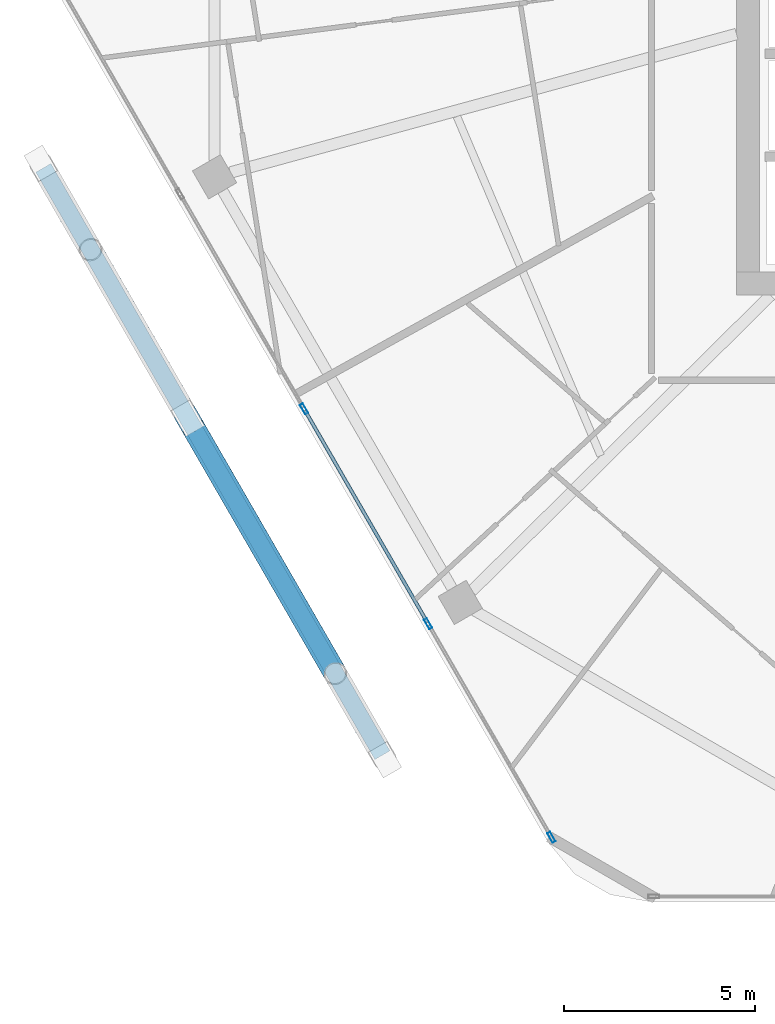
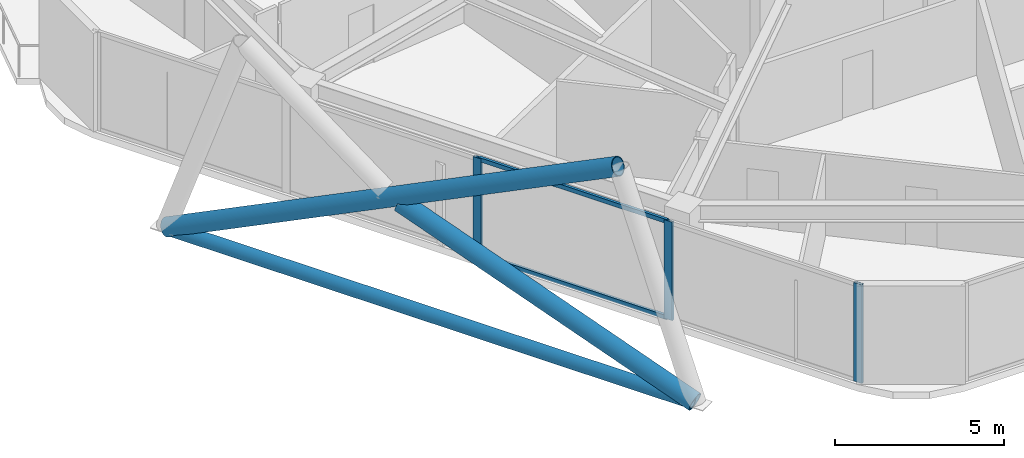
# One storey, part 2 of 29: 8 members, 1 element without a shape of its own.
"""IFC4 building model written with IfcOpenShell, lengths in metres."""

from ifc_helpers import new_model, si_unit, direction, frame, origin, origin_2d, place, context, subcontext, project, spatial, hollow_rectangle, hollow_circle, extrude, material, material_profile, profile_set, type_object, element, aggregate, save


model = new_model("IFC4")

# Units and contexts
model_context = context("Model", 3, precision=1e-05, world=origin(), true_north=direction((0.0, 1.0)))
body_context = subcontext(model_context, "Body", "Model", "MODEL_VIEW")
ifc_project = project(units=[si_unit("LENGTHUNIT", "METRE"), si_unit("AREAUNIT", "SQUARE_METRE"), si_unit("VOLUMEUNIT", "CUBIC_METRE"), si_unit("PLANEANGLEUNIT", "RADIAN"), si_unit("MASSUNIT", "GRAM", prefix="KILO")], contexts=[model_context])

# Site, building, storey
site_placement = place(None, origin())
site = spatial("IfcSite", under=ifc_project, at=site_placement, CompositionType="ELEMENT")
building_placement = place(site_placement, origin())
building = spatial("IfcBuilding", under=site, at=building_placement, Name="Zuhravey Tower", CompositionType="ELEMENT")
storey_placement = place(building_placement, frame((0.0, 0.0, 292.0)))
storey = spatial("IfcBuildingStorey", under=building, at=storey_placement, Name="L74", CompositionType="ELEMENT", Elevation=292.0)

# Curtain wall, members
ifc_material_1 = material(Name="Thermally broken anodised aluminium", Category="aluminium")
curtain_wall_type = type_object("IfcCurtainWallType", Name="Zone 3-4 High-Rise Curtain Wall CW4", PredefinedType="NOTDEFINED", material=ifc_material_1)
curtain_wall_placement = place(storey_placement, origin())
curtain_wall = element("IfcCurtainWall", 1, at=curtain_wall_placement, inside=storey, type_object=curtain_wall_type, Name="L74 CW4 CW-L74-F4-1", PredefinedType="NOTDEFINED")
ifc_material_2 = material(Name="Anodised aluminium", Category="aluminium")
ifc_material_profile_1 = material_profile(ifc_material_2, hollow_rectangle(XDim=0.090087890625, YDim=0.284912109375, WallThickness=0.0048828125, at=origin_2d()), Name="ALU-RHS-90x285x5")
ifc_profile_set_1 = profile_set([ifc_material_profile_1], Name="Anodised aluminium")
member_type_1 = type_object("IfcMemberType", Name="Curtain-Wall Mullion 90x180", PredefinedType="MULLION", material=ifc_profile_set_1)
member_1_placement = place(storey_placement, frame((20.34521484375, 7.98779296875, 0.0), z_axis=(0.0, 0.0, 1.0), x_axis=(-0.866024851021, -0.500000957414, 0.0)))
member_1 = element("IfcMember", 2, at=member_1_placement, type_object=member_type_1, Name="CW4 mullion 1", PredefinedType="MULLION", context=body_context, shape_type="SweptSolid", body=[
    extrude(hollow_rectangle(XDim=0.090087890625, YDim=0.284912109375, WallThickness=0.0048828125, at=origin_2d()), origin(), (0.0, 0.0, 1.0), 3.550048828125),
])
member_2_placement = place(storey_placement, frame((17.114501953125, 13.58349609375, 0.0), z_axis=(0.0, 0.0, 1.0), x_axis=(-0.866024851021, -0.500000957414, 0.0)))
member_2 = element("IfcMember", 3, at=member_2_placement, type_object=member_type_1, Name="CW4 mullion 2", PredefinedType="MULLION", context=body_context, shape_type="SweptSolid", body=[
    extrude(hollow_rectangle(XDim=0.090087890625, YDim=0.284912109375, WallThickness=0.0048828125, at=origin_2d()), origin(), (0.0, 0.0, 1.0), 3.550048828125),
])
member_3_placement = place(storey_placement, frame((13.861328125, 19.21826171875, 0.0), z_axis=(0.0, 0.0, 1.0), x_axis=(-0.866024851021, -0.500000957414, 0.0)))
member_3 = element("IfcMember", 4, at=member_3_placement, type_object=member_type_1, Name="CW4 mullion 3", PredefinedType="MULLION", context=body_context, shape_type="SweptSolid", body=[
    extrude(hollow_rectangle(XDim=0.090087890625, YDim=0.284912109375, WallThickness=0.0048828125, at=origin_2d()), origin(), (0.0, 0.0, 1.0), 3.550048828125),
])
ifc_material_profile_2 = material_profile(ifc_material_2, hollow_rectangle(XDim=0.090087890625, YDim=0.14990234375, WallThickness=0.0048828125, at=origin_2d()), Name="ALU-RHS-90x150x5")
ifc_profile_set_2 = profile_set([ifc_material_profile_2], Name="Anodised aluminium")
member_type_2 = type_object("IfcMemberType", Name="Curtain-Wall Transom 90x150", PredefinedType="USERDEFINED", material=ifc_profile_set_2)
member_4_placement = place(storey_placement, frame((17.092041015625, 13.62255859375, 0.044921875), z_axis=(-0.500014493347, 0.866017035885, 0.0), x_axis=(-0.866017035885, -0.500014493347, 0.0)))
member_4 = element("IfcMember", 5, at=member_4_placement, type_object=member_type_2, Name="CW4 transom 2.1", ObjectType="TRANSOM", PredefinedType="USERDEFINED", context=body_context, shape_type="SweptSolid", body=[
    extrude(hollow_rectangle(XDim=0.090087890625, YDim=0.14990234375, WallThickness=0.0048828125, at=origin_2d()), origin(), (0.0, 0.0, 1.0), 6.416259765625),
])
member_5_placement = place(storey_placement, frame((17.092041015625, 13.62255859375, 3.5048828125), z_axis=(-0.500014493347, 0.866017035885, 0.0), x_axis=(-0.866017035885, -0.500014493347, 0.0)))
member_5 = element("IfcMember", 6, at=member_5_placement, type_object=member_type_2, Name="CW4 transom 2.2", ObjectType="TRANSOM", PredefinedType="USERDEFINED", context=body_context, shape_type="SweptSolid", body=[
    extrude(hollow_rectangle(XDim=0.090087890625, YDim=0.14990234375, WallThickness=0.0048828125, at=origin_2d()), origin(), (0.0, 0.0, 1.0), 6.416259765625),
])
aggregate(curtain_wall, [member_1, member_2, member_3, member_4, member_5])

# Members
ifc_material_3 = material(Name="Steel SM355", Category="steel")
ifc_material_profile_3 = material_profile(ifc_material_3, hollow_circle(Radius=0.228515625, WallThickness=0.02197265625, at=origin_2d()), Name="CHS-457.2x22")
ifc_profile_set_3 = profile_set([ifc_material_profile_3], Name="Steel SM355")
member_type_3 = type_object("IfcMemberType", Name="Exoskeleton Ring Tie CHS457x22", PredefinedType="CHORD", material=ifc_profile_set_3)
member_6_placement = place(storey_placement, frame((7.026611328125, 25.536376953125, -0.464111328125), z_axis=(0.499995467921, -0.866028020366, 0.0), x_axis=(0.866028020366, 0.499995467921, 0.0)))
element("IfcMember", 7, at=member_6_placement, inside=storey, type_object=member_type_3, Name="L74 Exoskeleton Face 4 Tie EXR1", PredefinedType="CHORD", context=body_context, shape_type="SweptSolid", body=[
    extrude(hollow_circle(Radius=0.228515625, WallThickness=0.02197265625, at=origin_2d()), origin(), (0.0, 0.0, 1.0), 17.778076171875),
])
ifc_material_profile_4 = material_profile(ifc_material_3, hollow_circle(Radius=0.3046875, WallThickness=0.028076171875, at=origin_2d()), Name="CHS-609.6x28")
ifc_profile_set_4 = profile_set([ifc_material_profile_4], Name="Steel SM355")
member_type_4 = type_object("IfcMemberType", Name="Exoskeleton Zone 3 Diagrid CHS610x28", PredefinedType="BRACE", material=ifc_profile_set_4)
member_7_placement = place(storey_placement, frame((6.974853515625, 25.625732421875, -0.446044921875), z_axis=(0.44858715889, -0.776961798354, 0.441701171357), x_axis=(0.866021515814, 0.500006734102, 0.0)))
element("IfcMember", 8, at=member_7_placement, inside=storey, type_object=member_type_4, Name="L74 Face 4 Diagrid Brace 2", PredefinedType="BRACE", context=body_context, shape_type="SweptSolid", body=[
    extrude(hollow_circle(Radius=0.3046875, WallThickness=0.028076171875, at=origin_2d()), origin(), (0.0, 0.0, 1.0), 17.12451171875),
])
member_8_placement = place(storey_placement, frame((15.96630859375, 10.052001953125, -0.449951171875), z_axis=(-0.469309986719, 0.812868671103, 0.344953127111), x_axis=(-0.866025385035, -0.500000032475, 0.0)))
element("IfcMember", 9, at=member_8_placement, inside=storey, type_object=member_type_4, Name="L74 Face 4 Split Diagrid Brace 3A", PredefinedType="BRACE", context=body_context, shape_type="SweptSolid", body=[
    extrude(hollow_circle(Radius=0.3046875, WallThickness=0.028076171875, at=origin_2d()), origin(), (0.0, 0.0, 1.0), 10.679931640625),
])

save(model, "model.ifc")
